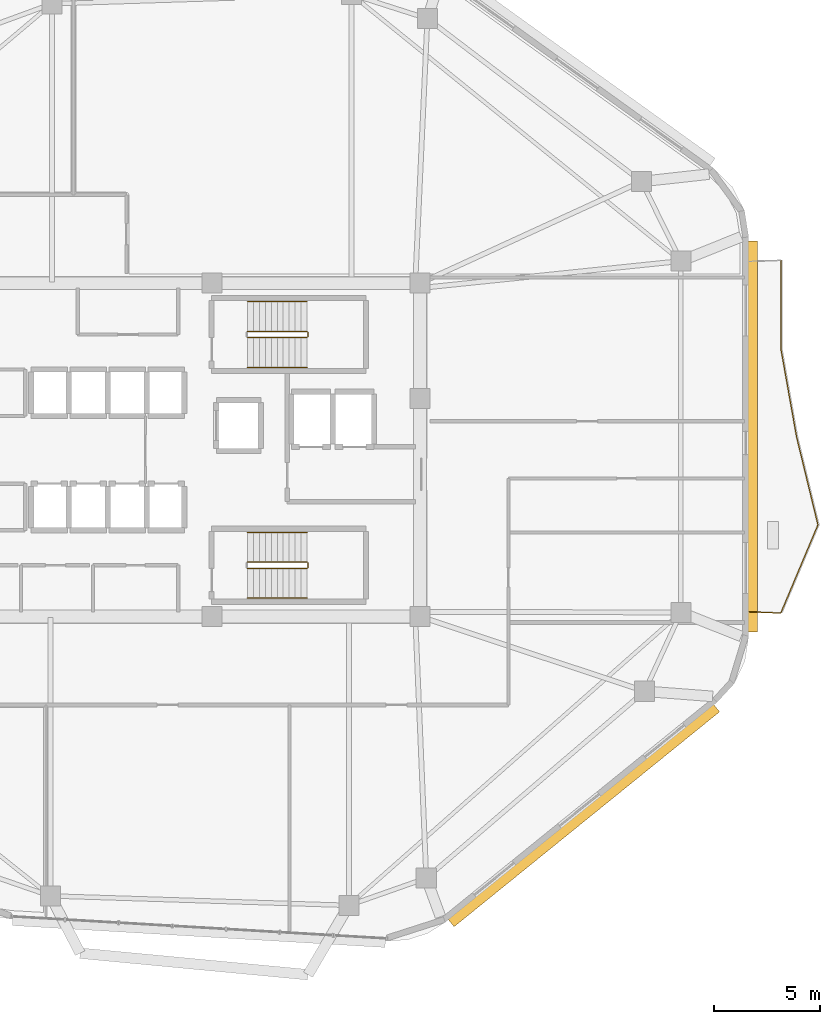
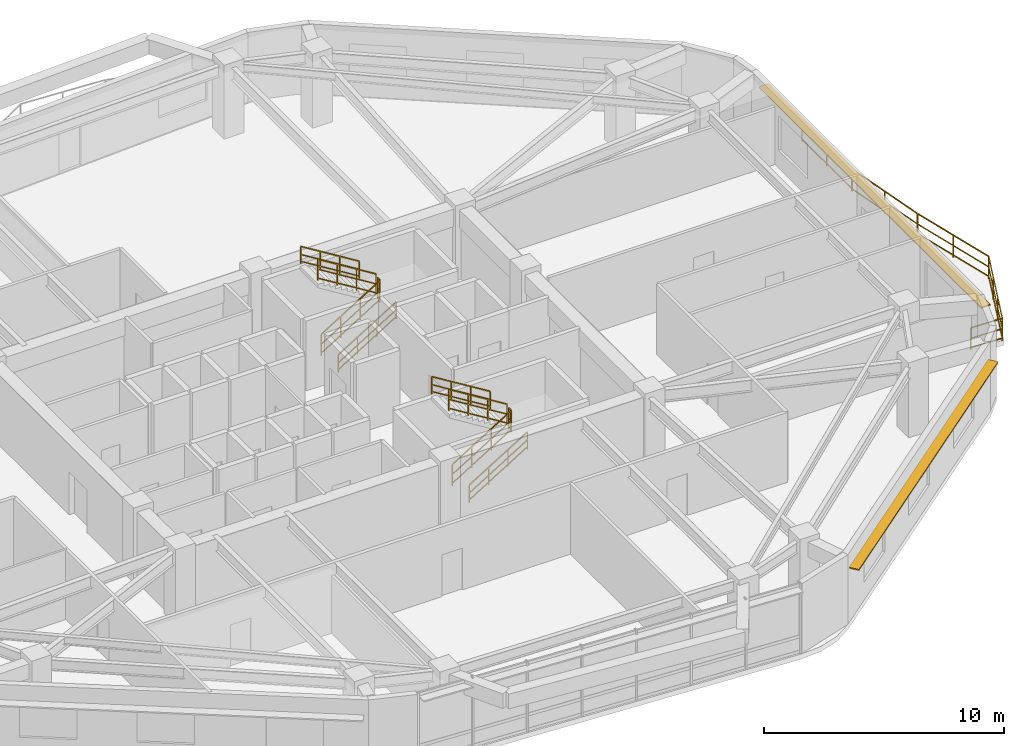
# One storey, part 13 of 14: 15 railings, 2 shading devices.
"""IFC4 building model written with IfcOpenShell, lengths in metres."""

import ifcopenshell
import ifcopenshell.guid

model = None  # the IFC model being written
_history = None  # IfcOwnerHistory: only IFC2X3 demands one
_inside = {}  # id of a spatial element -> (the spatial element, [elements in it])
_under = {}  # id of a project, library or spatial element -> (it, [spatial elements below it])
_declared = {}  # id of a project -> (the project, [libraries it declares])
_typed = {}  # id of a type object -> (the type object, [elements of that type])
_made_of = {}  # id of a material, layer set ... -> (it, [elements and type objects made of it])


def new_model(schema):
    """Start an empty IFC model of exactly this schema.

    Asked for "IFC4X3", IfcOpenShell would pick the latest addendum, in which some entities
    have other attributes; the version numbers below select the first issue.
    IFC2X3 requires an IfcOwnerHistory on every rooted entity: one is made here for all.
    """
    global model, _history
    if schema == "IFC4X3":
        model = ifcopenshell.file(schema_version=(4, 3, 0, 0))
    else:
        model = ifcopenshell.file(schema=schema)
    _inside.clear()
    _under.clear()
    _declared.clear()
    _typed.clear()
    _made_of.clear()
    _history = None
    if model.schema == "IFC2X3":
        org = make("IfcOrganization", Name="unknown")
        user = make(
            "IfcPersonAndOrganization",
            ThePerson=make("IfcPerson", FamilyName="unknown"),
            TheOrganization=org,
        )
        app = make(
            "IfcApplication",
            ApplicationDeveloper=org,
            Version="unknown",
            ApplicationFullName="unknown",
            ApplicationIdentifier="unknown",
        )
        _history = make(
            "IfcOwnerHistory",
            OwningUser=user,
            OwningApplication=app,
            ChangeAction="ADDED",
            CreationDate=0,
        )
    return model


def make(cls, **values):
    """One entity of the class cls with the attributes given. An attribute that is None is left unset."""
    return model.create_entity(
        cls, **{name: value for name, value in values.items() if value is not None}
    )


def rooted(cls, **values):
    """An entity with a GlobalId (a new one), such as an element, a storey or a relation."""
    return make(cls, GlobalId=ifcopenshell.guid.new(), OwnerHistory=_history, **values)


def si_unit(unit_type, name, prefix=None):
    """IfcSIUnit, for example si_unit("LENGTHUNIT", "METRE", prefix="MILLI")."""
    return make("IfcSIUnit", UnitType=unit_type, Prefix=prefix, Name=name)


def assignment(units):
    """IfcUnitAssignment: the units of a project."""
    return None if units is None else make("IfcUnitAssignment", Units=units)


def point(xyz):
    """IfcCartesianPoint."""
    return None if xyz is None else make("IfcCartesianPoint", Coordinates=xyz)


def direction(xyz):
    """IfcDirection."""
    return None if xyz is None else make("IfcDirection", DirectionRatios=xyz)


def frame(location, z_axis=None, x_axis=None):
    """IfcAxis2Placement3D, a coordinate frame: its origin and axes. An axis left out is left unset."""
    return make(
        "IfcAxis2Placement3D",
        Location=point(location),
        Axis=direction(z_axis),
        RefDirection=direction(x_axis),
    )


def frame_2d(location, x_axis=None):
    """IfcAxis2Placement2D, a coordinate frame in the plane: its origin and x axis."""
    return make(
        "IfcAxis2Placement2D", Location=point(location), RefDirection=direction(x_axis)
    )


def origin():
    """The frame at (0, 0, 0) with its axes left unset."""
    return frame((0.0, 0.0, 0.0))


def origin_2d():
    """The frame at (0, 0) in the plane with its x axis left unset."""
    return frame_2d((0.0, 0.0))


def place(relative_to, where):
    """IfcLocalPlacement: puts the frame where relative to a parent placement (None: the world)."""
    return make(
        "IfcLocalPlacement", PlacementRelTo=relative_to, RelativePlacement=where
    )


def context(
    kind, dimensions, precision=None, world=None, true_north=None, identifier=None
):
    """IfcGeometricRepresentationContext, for example the 3D "Model" context."""
    return make(
        "IfcGeometricRepresentationContext",
        ContextIdentifier=identifier,
        ContextType=kind,
        CoordinateSpaceDimension=dimensions,
        Precision=precision,
        WorldCoordinateSystem=world,
        TrueNorth=true_north,
    )


def subcontext(parent, identifier, kind, view, scale=None):
    """IfcGeometricRepresentationSubContext, for example "Body" below "Model"."""
    return make(
        "IfcGeometricRepresentationSubContext",
        ContextIdentifier=identifier,
        ContextType=kind,
        ParentContext=parent,
        TargetScale=scale,
        TargetView=view,
    )


def project(units=None, contexts=None):
    """IfcProject with its units and contexts."""
    return rooted(
        "IfcProject",
        Name="project",
        RepresentationContexts=contexts,
        UnitsInContext=assignment(units),
    )


def spatial(cls, under=None, at=None, **own):
    """A site, building, storey or space (cls), placed at a placement, below another one or the project."""
    s = rooted(cls, ObjectPlacement=at, **own)
    if under is not None:
        _under.setdefault(under.id(), (under, []))[1].append(s)
    return s


def profile(cls, at=None, kind="AREA", **sizes):
    """A parametric profile (cls). Its sizes go by their IFC names, for example OverallWidth=200.0."""
    return make(cls, ProfileType=kind, Position=at, **sizes)


def rectangle(**sizes):
    """IfcRectangleProfileDef."""
    return profile("IfcRectangleProfileDef", **sizes)


def extrude(swept, where, along, depth):
    """IfcExtrudedAreaSolid: the profile swept, set in the frame where, extruded along a direction by depth."""
    return make(
        "IfcExtrudedAreaSolid",
        SweptArea=swept,
        Position=where,
        ExtrudedDirection=direction(along),
        Depth=depth,
    )


def shape(context_of_items, identifier, shape_type, items):
    """IfcShapeRepresentation: the items that make up one representation, for example the "Body"."""
    return make(
        "IfcShapeRepresentation",
        ContextOfItems=context_of_items,
        RepresentationIdentifier=identifier,
        RepresentationType=shape_type,
        Items=items,
    )


def material(Name=None, Category=None):
    """IfcMaterial."""
    return make("IfcMaterial", Name=Name, Category=Category)


def layer(
    of_material, thickness, ventilated=None, Name=None, Category=None, Priority=None
):
    """IfcMaterialLayer: one layer of a wall or slab, of a material (None: an air gap)."""
    return make(
        "IfcMaterialLayer",
        Material=of_material,
        LayerThickness=thickness,
        IsVentilated=ventilated,
        Name=Name,
        Category=Category,
        Priority=Priority,
    )


def layer_set(layers, Name=None):
    """IfcMaterialLayerSet."""
    return make("IfcMaterialLayerSet", MaterialLayers=layers, LayerSetName=Name)


def made_of(thing, what):
    """Note that an element or type object is made of a material, layer set ...; save() writes the relation."""
    if what is not None:
        _made_of.setdefault(what.id(), (what, []))[1].append(thing)
    return thing


def type_object(cls, material=None, **own):
    """A type object (cls), such as IfcWallType, which elements share."""
    return made_of(rooted(cls, **own), material)


def element(
    cls,
    number,
    at=None,
    inside=None,
    cuts=None,
    type_object=None,
    material=None,
    context=None,
    identifier="Body",
    shape_type=None,
    held_by="IfcProductDefinitionShape",
    body=None,
    shapes=None,
    **own,
):
    """One element of the class cls, such as IfcWall. Its Tag is "e" and its number.

    at: its placement. inside: the storey or other place that contains it. cuts: it is an
    opening in that element (IfcRelVoidsElement). A single representation is given by context,
    identifier, shape_type and body (its items); several are given by shapes. held_by: the class
    of the entity that holds the representations. save() writes the other relations.
    """
    e = rooted(cls, Tag="e%d" % number, ObjectPlacement=at, **own)
    if body is not None:
        shapes = [shape(context, identifier, shape_type, body)]
    if shapes is not None:
        e.Representation = make(held_by, Representations=shapes)
    if inside is not None:
        _inside.setdefault(inside.id(), (inside, []))[1].append(e)
    if cuts is not None:
        rooted(
            "IfcRelVoidsElement", RelatingBuildingElement=cuts, RelatedOpeningElement=e
        )
    if type_object is not None:
        _typed.setdefault(type_object.id(), (type_object, []))[1].append(e)
    return made_of(e, material)


def aggregate(whole, parts):
    """IfcRelAggregates: a whole, such as a stair, and the parts it consists of."""
    return rooted("IfcRelAggregates", RelatingObject=whole, RelatedObjects=parts)


def save(model, path):
    """Write the relations noted so far, then the file.

    IfcRelAggregates (storeys below a building ...), IfcRelContainedInSpatialStructure (elements
    in a storey), IfcRelDefinesByType, IfcRelAssociatesMaterial and IfcRelDeclares: one each for
    every whole, place, type object, material and project.
    """
    for whole, parts in _under.values():
        aggregate(whole, parts)
    for where, things in _inside.values():
        rooted(
            "IfcRelContainedInSpatialStructure",
            RelatedElements=things,
            RelatingStructure=where,
        )
    for kind, things in _typed.values():
        rooted("IfcRelDefinesByType", RelatedObjects=things, RelatingType=kind)
    for what, things in _made_of.values():
        rooted("IfcRelAssociatesMaterial", RelatedObjects=things, RelatingMaterial=what)
    for by, libraries in _declared.values():
        rooted("IfcRelDeclares", RelatingContext=by, RelatedDefinitions=libraries)
    model.write(path)


model = new_model("IFC4")

# Units and contexts
model_context = context("Model", 3, precision=1e-05, world=origin(), true_north=direction((0.0, 1.0)))
body_context = subcontext(model_context, "Body", "Model", "MODEL_VIEW")
ifc_project = project(units=[si_unit("LENGTHUNIT", "METRE"), si_unit("AREAUNIT", "SQUARE_METRE"), si_unit("VOLUMEUNIT", "CUBIC_METRE"), si_unit("PLANEANGLEUNIT", "RADIAN"), si_unit("MASSUNIT", "GRAM", prefix="KILO")], contexts=[model_context])

# Site, building, storey
site_placement = place(None, origin())
site = spatial("IfcSite", under=ifc_project, at=site_placement, CompositionType="ELEMENT")
building_placement = place(site_placement, origin())
building = spatial("IfcBuilding", under=site, at=building_placement, Name="Zulverin Broadcast Headquarters", CompositionType="ELEMENT")
storey_placement = place(building_placement, frame((0.0, 0.0, 208.60009765625)))
storey = spatial("IfcBuildingStorey", under=building, at=storey_placement, Name="L53", CompositionType="ELEMENT", Elevation=208.60009765625)

# Railings
ifc_material_1 = material(Name="Brushed stainless steel & laminated glass balustrade", Category="steel")
railing_type_1 = type_object("IfcRailingType", Name="RL-GUARD-1150", PredefinedType="GUARDRAIL", material=ifc_material_1)
railing_1_placement = place(storey_placement, frame((63.840087890625, 17.55029296875, 0.0)))
element("IfcRailing", 1, at=railing_1_placement, inside=storey, type_object=railing_type_1, Name="L53 Vertical-Forest Balcony Guardrail BAL_E Segment 01", PredefinedType="GUARDRAIL", context=body_context, shape_type="SweptSolid", body=[
    extrude(rectangle(XDim=0.048095703125, YDim=0.048095703125, at=origin_2d()), frame((0.0, 0.0, 1.1259765625), z_axis=(0.99918088253, -0.040466825742, 0.0), x_axis=(0.040466825742, 0.99918088253, 0.0)), (0.0, 0.0, 1.0), 1.466064453125),
    extrude(rectangle(XDim=0.0419921875, YDim=0.0419921875, at=origin_2d()), frame((0.0, 0.0, 0.597900390625), z_axis=(0.99918088253, -0.040466825742, 0.0), x_axis=(0.040466825742, 0.99918088253, 0.0)), (0.0, 0.0, 1.0), 1.466064453125),
    extrude(rectangle(XDim=0.0419921875, YDim=0.0419921875, at=origin_2d()), frame((0.0, 0.0, 0.1201171875), z_axis=(0.99918088253, -0.040466825742, 0.0), x_axis=(0.040466825742, 0.99918088253, 0.0)), (0.0, 0.0, 1.0), 1.466064453125),
    extrude(rectangle(XDim=0.0419921875, YDim=0.0419921875, at=origin_2d()), origin(), (0.0, 0.0, 1.0), 1.101806640625),
    extrude(rectangle(XDim=0.0419921875, YDim=0.0419921875, at=origin_2d()), frame((1.46484375, -0.059326171875, 0.0)), (0.0, 0.0, 1.0), 1.101806640625),
])
railing_2_placement = place(storey_placement, frame((65.32568359375, 17.504150390625, 0.0)))
element("IfcRailing", 2, at=railing_2_placement, inside=storey, type_object=railing_type_1, Name="L53 Vertical-Forest Balcony Guardrail BAL_E Segment 02", PredefinedType="GUARDRAIL", context=body_context, shape_type="SweptSolid", body=[
    extrude(rectangle(XDim=0.048095703125, YDim=0.048095703125, at=origin_2d()), frame((0.0, 0.0, 1.1259765625), z_axis=(0.387811633416, 0.92173864896, 0.0), x_axis=(-0.92173864896, 0.387811633416, 0.0)), (0.0, 0.0, 1.0), 4.492919921875),
    extrude(rectangle(XDim=0.0419921875, YDim=0.0419921875, at=origin_2d()), frame((0.0, 0.0, 0.597900390625), z_axis=(0.387811633416, 0.92173864896, 0.0), x_axis=(-0.92173864896, 0.387811633416, 0.0)), (0.0, 0.0, 1.0), 4.492919921875),
    extrude(rectangle(XDim=0.0419921875, YDim=0.0419921875, at=origin_2d()), frame((0.0, 0.0, 0.1201171875), z_axis=(0.387811633416, 0.92173864896, 0.0), x_axis=(-0.92173864896, 0.387811633416, 0.0)), (0.0, 0.0, 1.0), 4.492919921875),
    extrude(rectangle(XDim=0.0419921875, YDim=0.0419921875, at=origin_2d()), origin(), (0.0, 0.0, 1.0), 1.101806640625),
    extrude(rectangle(XDim=0.0419921875, YDim=0.0419921875, at=origin_2d()), frame((0.580810546875, 1.38037109375, 0.0)), (0.0, 0.0, 1.0), 1.101806640625),
    extrude(rectangle(XDim=0.0419921875, YDim=0.0419921875, at=origin_2d()), frame((1.16162109375, 2.760986328125, 0.0)), (0.0, 0.0, 1.0), 1.101806640625),
    extrude(rectangle(XDim=0.0419921875, YDim=0.0419921875, at=origin_2d()), frame((1.742431640625, 4.141357421875, 0.0)), (0.0, 0.0, 1.0), 1.101806640625),
])
railing_3_placement = place(storey_placement, frame((67.070556640625, 21.673828125, 0.0)))
element("IfcRailing", 3, at=railing_3_placement, inside=storey, type_object=railing_type_1, Name="L53 Vertical-Forest Balcony Guardrail BAL_E Segment 03", PredefinedType="GUARDRAIL", context=body_context, shape_type="SweptSolid", body=[
    extrude(rectangle(XDim=0.048095703125, YDim=0.048095703125, at=origin_2d()), frame((0.0, 0.0, 1.1259765625), z_axis=(-0.236098597063, 0.971729104465, 0.0), x_axis=(-0.971729104465, -0.236098597063, 0.0)), (0.0, 0.0, 1.0), 4.26025390625),
    extrude(rectangle(XDim=0.0419921875, YDim=0.0419921875, at=origin_2d()), frame((0.0, 0.0, 0.597900390625), z_axis=(-0.236098597063, 0.971729104465, 0.0), x_axis=(-0.971729104465, -0.236098597063, 0.0)), (0.0, 0.0, 1.0), 4.26025390625),
    extrude(rectangle(XDim=0.0419921875, YDim=0.0419921875, at=origin_2d()), frame((0.0, 0.0, 0.1201171875), z_axis=(-0.236098597063, 0.971729104465, 0.0), x_axis=(-0.971729104465, -0.236098597063, 0.0)), (0.0, 0.0, 1.0), 4.26025390625),
    extrude(rectangle(XDim=0.0419921875, YDim=0.0419921875, at=origin_2d()), origin(), (0.0, 0.0, 1.0), 1.101806640625),
    extrude(rectangle(XDim=0.0419921875, YDim=0.0419921875, at=origin_2d()), frame((-0.5029296875, 2.06982421875, 0.0)), (0.0, 0.0, 1.0), 1.101806640625),
    extrude(rectangle(XDim=0.0419921875, YDim=0.0419921875, at=origin_2d()), frame((-1.005859375, 4.139892578125, 0.0)), (0.0, 0.0, 1.0), 1.101806640625),
])
railing_4_placement = place(storey_placement, frame((66.05859375, 25.843017578125, 0.0)))
element("IfcRailing", 4, at=railing_4_placement, inside=storey, type_object=railing_type_1, Name="L53 Vertical-Forest Balcony Guardrail BAL_E Segment 04", PredefinedType="GUARDRAIL", context=body_context, shape_type="SweptSolid", body=[
    extrude(rectangle(XDim=0.048095703125, YDim=0.048095703125, at=origin_2d()), frame((0.0, 0.0, 1.1259765625), z_axis=(-0.175077115394, 0.98455472355, 0.0), x_axis=(-0.98455472355, -0.175077115394, 0.0)), (0.0, 0.0, 1.0), 4.204345703125),
    extrude(rectangle(XDim=0.0419921875, YDim=0.0419921875, at=origin_2d()), frame((0.0, 0.0, 0.597900390625), z_axis=(-0.175077115394, 0.98455472355, 0.0), x_axis=(-0.98455472355, -0.175077115394, 0.0)), (0.0, 0.0, 1.0), 4.204345703125),
    extrude(rectangle(XDim=0.0419921875, YDim=0.0419921875, at=origin_2d()), frame((0.0, 0.0, 0.1201171875), z_axis=(-0.175077115394, 0.98455472355, 0.0), x_axis=(-0.98455472355, -0.175077115394, 0.0)), (0.0, 0.0, 1.0), 4.204345703125),
    extrude(rectangle(XDim=0.0419921875, YDim=0.0419921875, at=origin_2d()), origin(), (0.0, 0.0, 1.0), 1.101806640625),
    extrude(rectangle(XDim=0.0419921875, YDim=0.0419921875, at=origin_2d()), frame((-0.3681640625, 2.06982421875, 0.0)), (0.0, 0.0, 1.0), 1.101806640625),
    extrude(rectangle(XDim=0.0419921875, YDim=0.0419921875, at=origin_2d()), frame((-0.736083984375, 4.139404296875, 0.0)), (0.0, 0.0, 1.0), 1.101806640625),
])
railing_5_placement = place(storey_placement, frame((65.320068359375, 30.01220703125, 0.0)))
element("IfcRailing", 5, at=railing_5_placement, inside=storey, type_object=railing_type_1, Name="L53 Vertical-Forest Balcony Guardrail BAL_E Segment 05", PredefinedType="GUARDRAIL", context=body_context, shape_type="SweptSolid", body=[
    extrude(rectangle(XDim=0.048095703125, YDim=0.048095703125, at=origin_2d()), frame((0.0, 0.0, 1.1259765625), z_axis=(0.0, 1.0, 0.0), x_axis=(-1.0, 0.0, 0.0)), (0.0, 0.0, 1.0), 4.138916015625),
    extrude(rectangle(XDim=0.0419921875, YDim=0.0419921875, at=origin_2d()), frame((0.0, 0.0, 0.597900390625), z_axis=(0.0, 1.0, 0.0), x_axis=(-1.0, 0.0, 0.0)), (0.0, 0.0, 1.0), 4.138916015625),
    extrude(rectangle(XDim=0.0419921875, YDim=0.0419921875, at=origin_2d()), frame((0.0, 0.0, 0.1201171875), z_axis=(0.0, 1.0, 0.0), x_axis=(-1.0, 0.0, 0.0)), (0.0, 0.0, 1.0), 4.138916015625),
    extrude(rectangle(XDim=0.0419921875, YDim=0.0419921875, at=origin_2d()), origin(), (0.0, 0.0, 1.0), 1.101806640625),
    extrude(rectangle(XDim=0.0419921875, YDim=0.0419921875, at=origin_2d()), frame((0.0, 2.0693359375, 0.0)), (0.0, 0.0, 1.0), 1.101806640625),
    extrude(rectangle(XDim=0.0419921875, YDim=0.0419921875, at=origin_2d()), frame((0.0, 4.138916015625, 0.0)), (0.0, 0.0, 1.0), 1.101806640625),
])
ifc_material_2 = material(Name="Painted galvanized steel tubular guardrail S355JR", Category="steel")
railing_type_2 = type_object("IfcRailingType", Name="RL-ST-GUARD", PredefinedType="GUARDRAIL", material=ifc_material_2)
railing_6_placement = place(storey_placement, frame((40.1298828125, 30.5, 0.172607421875)))
element("IfcRailing", 6, at=railing_6_placement, inside=storey, type_object=railing_type_2, Name="L53 ST-1 stair guard 1", PredefinedType="GUARDRAIL", context=body_context, shape_type="SweptSolid", body=[
    extrude(rectangle(XDim=0.048095703125, YDim=0.048095703125, at=origin_2d()), frame((0.0, 0.0, 1.076171875), z_axis=(0.851089632645, 0.0, 0.525020415988), x_axis=(0.0, 1.0, 0.0)), (0.0, 0.0, 1.0), 3.2900390625),
    extrude(rectangle(XDim=0.0419921875, YDim=0.0419921875, at=origin_2d()), frame((0.0, 0.0, 0.572021484375), z_axis=(0.851089632645, 0.0, 0.525020415988), x_axis=(0.0, 1.0, 0.0)), (0.0, 0.0, 1.0), 3.2900390625),
    extrude(rectangle(XDim=0.0419921875, YDim=0.0419921875, at=origin_2d()), frame((0.0, 0.0, 0.1201171875), z_axis=(0.851089632645, 0.0, 0.525020415988), x_axis=(0.0, 1.0, 0.0)), (0.0, 0.0, 1.0), 3.2900390625),
    extrude(rectangle(XDim=0.0419921875, YDim=0.0419921875, at=origin_2d()), origin(), (0.0, 0.0, 1.0), 1.052001953125),
    extrude(rectangle(XDim=0.0419921875, YDim=0.0419921875, at=origin_2d()), frame((0.933349609375, 0.0, 0.57568359375)), (0.0, 0.0, 1.0), 1.052001953125),
    extrude(rectangle(XDim=0.0419921875, YDim=0.0419921875, at=origin_2d()), frame((1.86669921875, 0.0, 1.151611328125)), (0.0, 0.0, 1.0), 1.052001953125),
    extrude(rectangle(XDim=0.0419921875, YDim=0.0419921875, at=origin_2d()), frame((2.800048828125, 0.0, 1.727294921875)), (0.0, 0.0, 1.0), 1.052001953125),
])
railing_7_placement = place(storey_placement, frame((42.97998046875, 30.550048828125, 1.89990234375)))
element("IfcRailing", 7, at=railing_7_placement, inside=storey, type_object=railing_type_2, Name="L53 ST-1 stair guard 2", PredefinedType="GUARDRAIL", context=body_context, shape_type="SweptSolid", body=[
    extrude(rectangle(XDim=0.048095703125, YDim=0.048095703125, at=origin_2d()), frame((0.0, 0.0, 1.076171875), z_axis=(0.0, 1.0, 0.0), x_axis=(-1.0, 0.0, 0.0)), (0.0, 0.0, 1.0), 0.199951171875),
    extrude(rectangle(XDim=0.0419921875, YDim=0.0419921875, at=origin_2d()), frame((0.0, 0.0, 0.572021484375), z_axis=(0.0, 1.0, 0.0), x_axis=(-1.0, 0.0, 0.0)), (0.0, 0.0, 1.0), 0.199951171875),
    extrude(rectangle(XDim=0.0419921875, YDim=0.0419921875, at=origin_2d()), frame((0.0, 0.0, 0.1201171875), z_axis=(0.0, 1.0, 0.0), x_axis=(-1.0, 0.0, 0.0)), (0.0, 0.0, 1.0), 0.199951171875),
    extrude(rectangle(XDim=0.0419921875, YDim=0.0419921875, at=origin_2d()), origin(), (0.0, 0.0, 1.0), 1.052001953125),
    extrude(rectangle(XDim=0.0419921875, YDim=0.0419921875, at=origin_2d()), frame((0.0, 0.199951171875, 0.0)), (0.0, 0.0, 1.0), 1.052001953125),
])
railing_8_placement = place(storey_placement, frame((42.929931640625, 30.800048828125, 2.072509765625)))
element("IfcRailing", 8, at=railing_8_placement, inside=storey, type_object=railing_type_2, Name="L53 ST-1 stair guard 3", PredefinedType="GUARDRAIL", context=body_context, shape_type="SweptSolid", body=[
    extrude(rectangle(XDim=0.048095703125, YDim=0.048095703125, at=origin_2d()), frame((0.0, 0.0, 1.076171875), z_axis=(-0.851089632645, 0.0, 0.525020415988), x_axis=(0.0, -1.0, 0.0)), (0.0, 0.0, 1.0), 3.2900390625),
    extrude(rectangle(XDim=0.0419921875, YDim=0.0419921875, at=origin_2d()), frame((0.0, 0.0, 0.572021484375), z_axis=(-0.851089632645, 0.0, 0.525020415988), x_axis=(0.0, -1.0, 0.0)), (0.0, 0.0, 1.0), 3.2900390625),
    extrude(rectangle(XDim=0.0419921875, YDim=0.0419921875, at=origin_2d()), frame((0.0, 0.0, 0.1201171875), z_axis=(-0.851089632645, 0.0, 0.525020415988), x_axis=(0.0, -1.0, 0.0)), (0.0, 0.0, 1.0), 3.2900390625),
    extrude(rectangle(XDim=0.0419921875, YDim=0.0419921875, at=origin_2d()), origin(), (0.0, 0.0, 1.0), 1.052001953125),
    extrude(rectangle(XDim=0.0419921875, YDim=0.0419921875, at=origin_2d()), frame((-0.933349609375, 0.0, 0.57568359375)), (0.0, 0.0, 1.0), 1.052001953125),
    extrude(rectangle(XDim=0.0419921875, YDim=0.0419921875, at=origin_2d()), frame((-1.86669921875, 0.0, 1.151611328125)), (0.0, 0.0, 1.0), 1.052001953125),
    extrude(rectangle(XDim=0.0419921875, YDim=0.0419921875, at=origin_2d()), frame((-2.800048828125, 0.0, 1.727294921875)), (0.0, 0.0, 1.0), 1.052001953125),
])
railing_9_placement = place(storey_placement, frame((40.1298828125, 19.60009765625, 0.172607421875)))
element("IfcRailing", 9, at=railing_9_placement, inside=storey, type_object=railing_type_2, Name="L53 ST-2 stair guard 1", PredefinedType="GUARDRAIL", context=body_context, shape_type="SweptSolid", body=[
    extrude(rectangle(XDim=0.048095703125, YDim=0.048095703125, at=origin_2d()), frame((0.0, 0.0, 1.076171875), z_axis=(0.851089632645, 0.0, 0.525020415988), x_axis=(0.0, 1.0, 0.0)), (0.0, 0.0, 1.0), 3.2900390625),
    extrude(rectangle(XDim=0.0419921875, YDim=0.0419921875, at=origin_2d()), frame((0.0, 0.0, 0.572021484375), z_axis=(0.851089632645, 0.0, 0.525020415988), x_axis=(0.0, 1.0, 0.0)), (0.0, 0.0, 1.0), 3.2900390625),
    extrude(rectangle(XDim=0.0419921875, YDim=0.0419921875, at=origin_2d()), frame((0.0, 0.0, 0.1201171875), z_axis=(0.851089632645, 0.0, 0.525020415988), x_axis=(0.0, 1.0, 0.0)), (0.0, 0.0, 1.0), 3.2900390625),
    extrude(rectangle(XDim=0.0419921875, YDim=0.0419921875, at=origin_2d()), origin(), (0.0, 0.0, 1.0), 1.052001953125),
    extrude(rectangle(XDim=0.0419921875, YDim=0.0419921875, at=origin_2d()), frame((0.933349609375, 0.0, 0.57568359375)), (0.0, 0.0, 1.0), 1.052001953125),
    extrude(rectangle(XDim=0.0419921875, YDim=0.0419921875, at=origin_2d()), frame((1.86669921875, 0.0, 1.151611328125)), (0.0, 0.0, 1.0), 1.052001953125),
    extrude(rectangle(XDim=0.0419921875, YDim=0.0419921875, at=origin_2d()), frame((2.800048828125, 0.0, 1.727294921875)), (0.0, 0.0, 1.0), 1.052001953125),
])
railing_10_placement = place(storey_placement, frame((42.97998046875, 19.64990234375, 1.89990234375)))
element("IfcRailing", 10, at=railing_10_placement, inside=storey, type_object=railing_type_2, Name="L53 ST-2 stair guard 2", PredefinedType="GUARDRAIL", context=body_context, shape_type="SweptSolid", body=[
    extrude(rectangle(XDim=0.048095703125, YDim=0.048095703125, at=origin_2d()), frame((0.0, 0.0, 1.076171875), z_axis=(0.0, 1.0, 0.0), x_axis=(-1.0, 0.0, 0.0)), (0.0, 0.0, 1.0), 0.2001953125),
    extrude(rectangle(XDim=0.0419921875, YDim=0.0419921875, at=origin_2d()), frame((0.0, 0.0, 0.572021484375), z_axis=(0.0, 1.0, 0.0), x_axis=(-1.0, 0.0, 0.0)), (0.0, 0.0, 1.0), 0.2001953125),
    extrude(rectangle(XDim=0.0419921875, YDim=0.0419921875, at=origin_2d()), frame((0.0, 0.0, 0.1201171875), z_axis=(0.0, 1.0, 0.0), x_axis=(-1.0, 0.0, 0.0)), (0.0, 0.0, 1.0), 0.2001953125),
    extrude(rectangle(XDim=0.0419921875, YDim=0.0419921875, at=origin_2d()), origin(), (0.0, 0.0, 1.0), 1.052001953125),
    extrude(rectangle(XDim=0.0419921875, YDim=0.0419921875, at=origin_2d()), frame((0.0, 0.2001953125, 0.0)), (0.0, 0.0, 1.0), 1.052001953125),
])
railing_11_placement = place(storey_placement, frame((42.929931640625, 19.89990234375, 2.072509765625)))
element("IfcRailing", 11, at=railing_11_placement, inside=storey, type_object=railing_type_2, Name="L53 ST-2 stair guard 3", PredefinedType="GUARDRAIL", context=body_context, shape_type="SweptSolid", body=[
    extrude(rectangle(XDim=0.048095703125, YDim=0.048095703125, at=origin_2d()), frame((0.0, 0.0, 1.076171875), z_axis=(-0.851089632645, 0.0, 0.525020415988), x_axis=(0.0, -1.0, 0.0)), (0.0, 0.0, 1.0), 3.2900390625),
    extrude(rectangle(XDim=0.0419921875, YDim=0.0419921875, at=origin_2d()), frame((0.0, 0.0, 0.572021484375), z_axis=(-0.851089632645, 0.0, 0.525020415988), x_axis=(0.0, -1.0, 0.0)), (0.0, 0.0, 1.0), 3.2900390625),
    extrude(rectangle(XDim=0.0419921875, YDim=0.0419921875, at=origin_2d()), frame((0.0, 0.0, 0.1201171875), z_axis=(-0.851089632645, 0.0, 0.525020415988), x_axis=(0.0, -1.0, 0.0)), (0.0, 0.0, 1.0), 3.2900390625),
    extrude(rectangle(XDim=0.0419921875, YDim=0.0419921875, at=origin_2d()), origin(), (0.0, 0.0, 1.0), 1.052001953125),
    extrude(rectangle(XDim=0.0419921875, YDim=0.0419921875, at=origin_2d()), frame((-0.933349609375, 0.0, 0.57568359375)), (0.0, 0.0, 1.0), 1.052001953125),
    extrude(rectangle(XDim=0.0419921875, YDim=0.0419921875, at=origin_2d()), frame((-1.86669921875, 0.0, 1.151611328125)), (0.0, 0.0, 1.0), 1.052001953125),
    extrude(rectangle(XDim=0.0419921875, YDim=0.0419921875, at=origin_2d()), frame((-2.800048828125, 0.0, 1.727294921875)), (0.0, 0.0, 1.0), 1.052001953125),
])
ifc_material_3 = material(Name="Brushed stainless steel 48 mm handrail", Category="steel")
railing_type_3 = type_object("IfcRailingType", Name="RL-ST-HAND", PredefinedType="HANDRAIL", material=ifc_material_3)
railing_12_placement = place(storey_placement, frame((40.1298828125, 29.10009765625, 0.172607421875)))
element("IfcRailing", 12, at=railing_12_placement, inside=storey, type_object=railing_type_3, Name="L53 ST-1 stair handrail 1", PredefinedType="HANDRAIL", context=body_context, shape_type="SweptSolid", body=[
    extrude(rectangle(XDim=0.048095703125, YDim=0.048095703125, at=origin_2d()), frame((0.0, 0.0, 0.8759765625), z_axis=(0.851089632645, 0.0, 0.525020415988), x_axis=(0.0, 1.0, 0.0)), (0.0, 0.0, 1.0), 3.2900390625),
    extrude(rectangle(XDim=0.0419921875, YDim=0.0419921875, at=origin_2d()), frame((0.0, 0.0, 0.468017578125), z_axis=(0.851089632645, 0.0, 0.525020415988), x_axis=(0.0, 1.0, 0.0)), (0.0, 0.0, 1.0), 3.2900390625),
    extrude(rectangle(XDim=0.0419921875, YDim=0.0419921875, at=origin_2d()), frame((0.0, 0.0, 0.1201171875), z_axis=(0.851089632645, 0.0, 0.525020415988), x_axis=(0.0, 1.0, 0.0)), (0.0, 0.0, 1.0), 3.2900390625),
    extrude(rectangle(XDim=0.0419921875, YDim=0.0419921875, at=origin_2d()), origin(), (0.0, 0.0, 1.0), 0.851806640625),
    extrude(rectangle(XDim=0.0419921875, YDim=0.0419921875, at=origin_2d()), frame((0.933349609375, 0.0, 0.57568359375)), (0.0, 0.0, 1.0), 0.851806640625),
    extrude(rectangle(XDim=0.0419921875, YDim=0.0419921875, at=origin_2d()), frame((1.86669921875, 0.0, 1.151611328125)), (0.0, 0.0, 1.0), 0.851806640625),
    extrude(rectangle(XDim=0.0419921875, YDim=0.0419921875, at=origin_2d()), frame((2.800048828125, 0.0, 1.727294921875)), (0.0, 0.0, 1.0), 0.851806640625),
])
railing_13_placement = place(storey_placement, frame((42.929931640625, 32.199951171875, 2.072509765625)))
element("IfcRailing", 13, at=railing_13_placement, inside=storey, type_object=railing_type_3, Name="L53 ST-1 stair handrail 2", PredefinedType="HANDRAIL", context=body_context, shape_type="SweptSolid", body=[
    extrude(rectangle(XDim=0.048095703125, YDim=0.048095703125, at=origin_2d()), frame((0.0, 0.0, 0.8759765625), z_axis=(-0.851089632645, 0.0, 0.525020415988), x_axis=(0.0, -1.0, 0.0)), (0.0, 0.0, 1.0), 3.2900390625),
    extrude(rectangle(XDim=0.0419921875, YDim=0.0419921875, at=origin_2d()), frame((0.0, 0.0, 0.468017578125), z_axis=(-0.851089632645, 0.0, 0.525020415988), x_axis=(0.0, -1.0, 0.0)), (0.0, 0.0, 1.0), 3.2900390625),
    extrude(rectangle(XDim=0.0419921875, YDim=0.0419921875, at=origin_2d()), frame((0.0, 0.0, 0.1201171875), z_axis=(-0.851089632645, 0.0, 0.525020415988), x_axis=(0.0, -1.0, 0.0)), (0.0, 0.0, 1.0), 3.2900390625),
    extrude(rectangle(XDim=0.0419921875, YDim=0.0419921875, at=origin_2d()), origin(), (0.0, 0.0, 1.0), 0.851806640625),
    extrude(rectangle(XDim=0.0419921875, YDim=0.0419921875, at=origin_2d()), frame((-0.933349609375, 0.0, 0.57568359375)), (0.0, 0.0, 1.0), 0.851806640625),
    extrude(rectangle(XDim=0.0419921875, YDim=0.0419921875, at=origin_2d()), frame((-1.86669921875, 0.0, 1.151611328125)), (0.0, 0.0, 1.0), 0.851806640625),
    extrude(rectangle(XDim=0.0419921875, YDim=0.0419921875, at=origin_2d()), frame((-2.800048828125, 0.0, 1.727294921875)), (0.0, 0.0, 1.0), 0.851806640625),
])
railing_14_placement = place(storey_placement, frame((40.1298828125, 18.199951171875, 0.172607421875)))
element("IfcRailing", 14, at=railing_14_placement, inside=storey, type_object=railing_type_3, Name="L53 ST-2 stair handrail 1", PredefinedType="HANDRAIL", context=body_context, shape_type="SweptSolid", body=[
    extrude(rectangle(XDim=0.048095703125, YDim=0.048095703125, at=origin_2d()), frame((0.0, 0.0, 0.8759765625), z_axis=(0.851089632645, 0.0, 0.525020415988), x_axis=(0.0, 1.0, 0.0)), (0.0, 0.0, 1.0), 3.2900390625),
    extrude(rectangle(XDim=0.0419921875, YDim=0.0419921875, at=origin_2d()), frame((0.0, 0.0, 0.468017578125), z_axis=(0.851089632645, 0.0, 0.525020415988), x_axis=(0.0, 1.0, 0.0)), (0.0, 0.0, 1.0), 3.2900390625),
    extrude(rectangle(XDim=0.0419921875, YDim=0.0419921875, at=origin_2d()), frame((0.0, 0.0, 0.1201171875), z_axis=(0.851089632645, 0.0, 0.525020415988), x_axis=(0.0, 1.0, 0.0)), (0.0, 0.0, 1.0), 3.2900390625),
    extrude(rectangle(XDim=0.0419921875, YDim=0.0419921875, at=origin_2d()), origin(), (0.0, 0.0, 1.0), 0.851806640625),
    extrude(rectangle(XDim=0.0419921875, YDim=0.0419921875, at=origin_2d()), frame((0.933349609375, 0.0, 0.57568359375)), (0.0, 0.0, 1.0), 0.851806640625),
    extrude(rectangle(XDim=0.0419921875, YDim=0.0419921875, at=origin_2d()), frame((1.86669921875, 0.0, 1.151611328125)), (0.0, 0.0, 1.0), 0.851806640625),
    extrude(rectangle(XDim=0.0419921875, YDim=0.0419921875, at=origin_2d()), frame((2.800048828125, 0.0, 1.727294921875)), (0.0, 0.0, 1.0), 0.851806640625),
])
railing_15_placement = place(storey_placement, frame((42.929931640625, 21.300048828125, 2.072509765625)))
element("IfcRailing", 15, at=railing_15_placement, inside=storey, type_object=railing_type_3, Name="L53 ST-2 stair handrail 2", PredefinedType="HANDRAIL", context=body_context, shape_type="SweptSolid", body=[
    extrude(rectangle(XDim=0.048095703125, YDim=0.048095703125, at=origin_2d()), frame((0.0, 0.0, 0.8759765625), z_axis=(-0.851089632645, 0.0, 0.525020415988), x_axis=(0.0, -1.0, 0.0)), (0.0, 0.0, 1.0), 3.2900390625),
    extrude(rectangle(XDim=0.0419921875, YDim=0.0419921875, at=origin_2d()), frame((0.0, 0.0, 0.468017578125), z_axis=(-0.851089632645, 0.0, 0.525020415988), x_axis=(0.0, -1.0, 0.0)), (0.0, 0.0, 1.0), 3.2900390625),
    extrude(rectangle(XDim=0.0419921875, YDim=0.0419921875, at=origin_2d()), frame((0.0, 0.0, 0.1201171875), z_axis=(-0.851089632645, 0.0, 0.525020415988), x_axis=(0.0, -1.0, 0.0)), (0.0, 0.0, 1.0), 3.2900390625),
    extrude(rectangle(XDim=0.0419921875, YDim=0.0419921875, at=origin_2d()), origin(), (0.0, 0.0, 1.0), 0.851806640625),
    extrude(rectangle(XDim=0.0419921875, YDim=0.0419921875, at=origin_2d()), frame((-0.933349609375, 0.0, 0.57568359375)), (0.0, 0.0, 1.0), 0.851806640625),
    extrude(rectangle(XDim=0.0419921875, YDim=0.0419921875, at=origin_2d()), frame((-1.86669921875, 0.0, 1.151611328125)), (0.0, 0.0, 1.0), 0.851806640625),
    extrude(rectangle(XDim=0.0419921875, YDim=0.0419921875, at=origin_2d()), frame((-2.800048828125, 0.0, 1.727294921875)), (0.0, 0.0, 1.0), 0.851806640625),
])

# Shading devices
ifc_material_4 = material(Name="Anodized pale-metal aluminium sunshade", Category="aluminium")
ifc_layer = layer(ifc_material_4, 0.06005859375, Name="Anodized pale-metal aluminium sunshade", Category="aluminium")
ifc_layer_set = layer_set([ifc_layer], Name="Anodized pale-metal aluminium sunshade")
shading_device_type = type_object("IfcShadingDeviceType", Name="SS-01_PALE_METAL_ALUMINIUM_SUNSHADE", PredefinedType="USERDEFINED", material=ifc_layer_set)
shading_device_1_placement = place(storey_placement, frame((56.014404296875, 7.922607421875, 2.7099609375), z_axis=(0.0, 0.0, 1.0), x_axis=(0.777274454694, 0.629161681987, 0.0)))
element("IfcShadingDevice", 16, at=shading_device_1_placement, inside=storey, type_object=shading_device_type, Name="L53 Horizontal Pale-Metal Sunshade Band 2", ObjectType="SUNSHADE", PredefinedType="USERDEFINED", context=body_context, shape_type="SweptSolid", body=[
    extrude(rectangle(XDim=16.139892578125, YDim=0.449951171875, at=origin_2d()), origin(), (0.0, 0.0, 1.0), 0.06005859375),
])
shading_device_2_placement = place(storey_placement, frame((64.0, 25.828369140625, 2.7099609375), z_axis=(0.0, 0.0, 1.0), x_axis=(0.0, 1.0, 0.0)))
element("IfcShadingDevice", 17, at=shading_device_2_placement, inside=storey, type_object=shading_device_type, Name="L53 Horizontal Pale-Metal Sunshade Band 3", ObjectType="SUNSHADE", PredefinedType="USERDEFINED", context=body_context, shape_type="SweptSolid", body=[
    extrude(rectangle(XDim=18.475830078125, YDim=0.449951171875, at=origin_2d()), origin(), (0.0, 0.0, 1.0), 0.06005859375),
])

save(model, "model.ifc")
